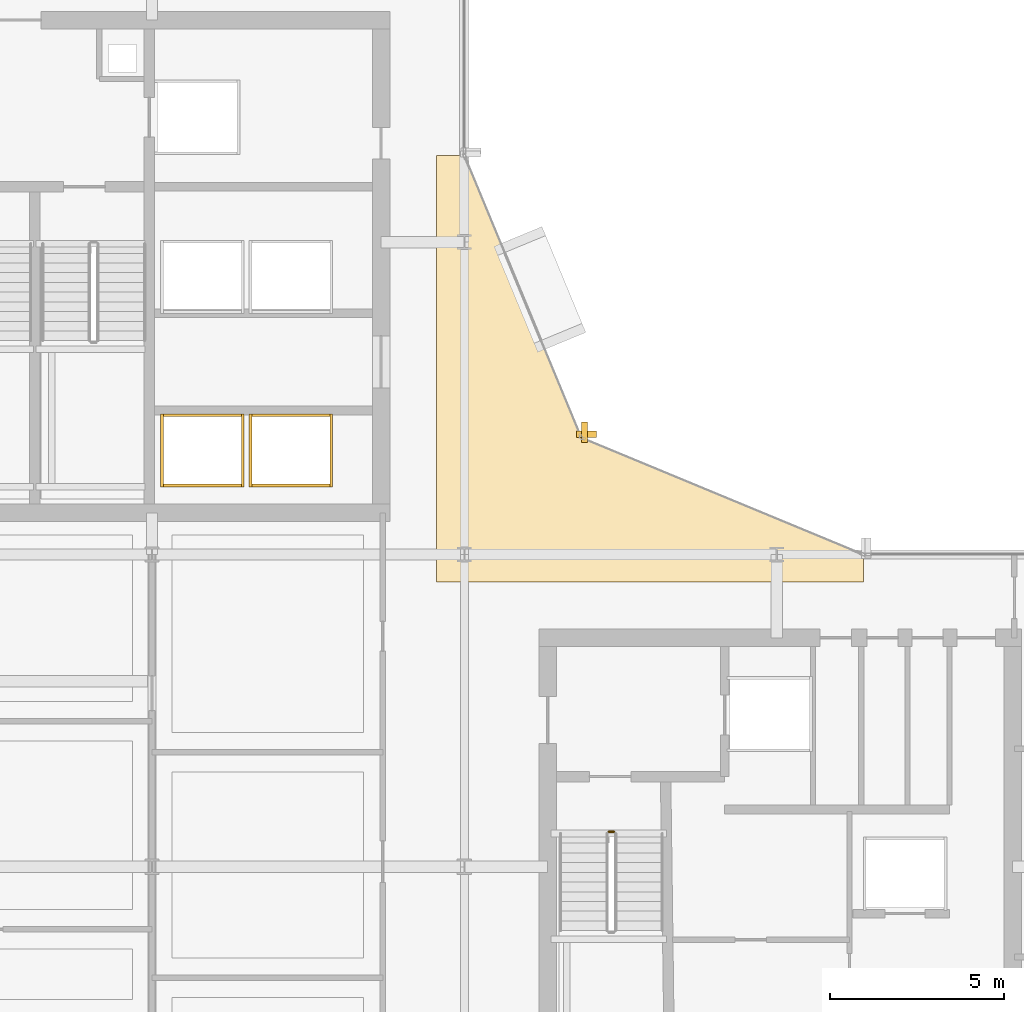
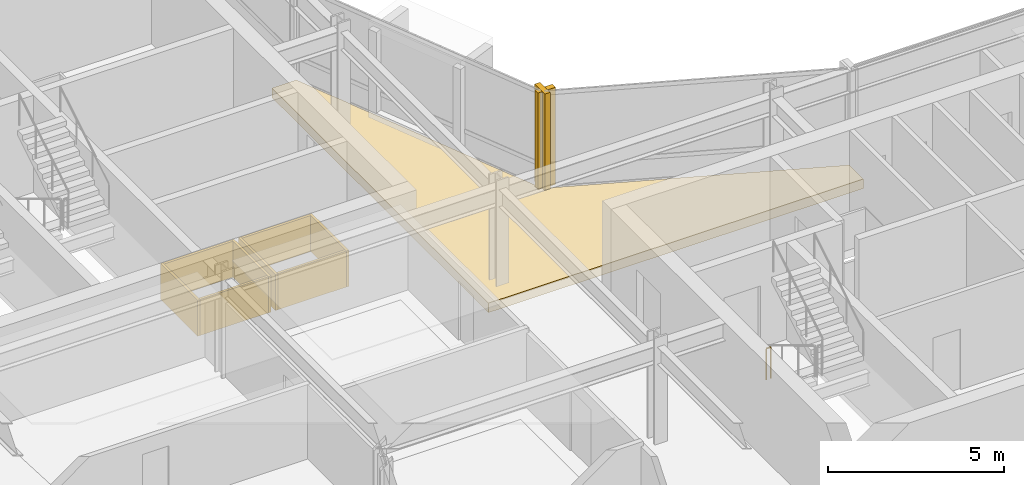
# One storey, part 27 of 29: 11 coverings, 1 railing.
"""IFC4 building model written with IfcOpenShell, lengths in metres."""

from ifc_helpers import new_model, si_unit, direction, frame, origin, origin_2d, place, context, subcontext, project, spatial, polyline, rectangle, circle, outline, extrude, material, layer, layer_set, type_object, element, save


model = new_model("IFC4")

# Units and contexts
model_context = context("Model", 3, precision=1e-05, world=origin(), true_north=direction((0.0, 1.0)))
body_context = subcontext(model_context, "Body", "Model", "MODEL_VIEW")
ifc_project = project(units=[si_unit("LENGTHUNIT", "METRE"), si_unit("AREAUNIT", "SQUARE_METRE"), si_unit("VOLUMEUNIT", "CUBIC_METRE"), si_unit("PLANEANGLEUNIT", "RADIAN"), si_unit("MASSUNIT", "GRAM", prefix="KILO")], contexts=[model_context])

# Site, building, storey
site_placement = place(None, origin())
site = spatial("IfcSite", under=ifc_project, at=site_placement, CompositionType="ELEMENT")
building_placement = place(site_placement, origin())
building = spatial("IfcBuilding", under=site, at=building_placement, Name="Solvaryn Broadcast Tower", CompositionType="ELEMENT")
storey_placement = place(building_placement, frame((0.0, 0.0, 165.5)))
storey = spatial("IfcBuildingStorey", under=building, at=storey_placement, Name="L41", CompositionType="ELEMENT", Elevation=165.5)

# Coverings
ifc_material_1 = material(Name="Fire-Rated Gypsum Shaftwall Liner", Category="concrete")
ifc_layer_1 = layer(ifc_material_1, 0.080078125)
ifc_layer_set_1 = layer_set([ifc_layer_1], Name="CV-SHAFT-LINER")
covering_type_1 = type_object("IfcCoveringType", Name="CV-SHAFT-LINER", PredefinedType="CLADDING", material=ifc_layer_set_1)
for number, where, z_axis, x_axis, name in (
    (1, (19.449951171875, 31.014892578125, 0.0), (0.0, 0.0, 1.0), (1.0, 0.0, 0.0), "L41 PH1 Hoistway Shaft Liner North"),
    (2, (19.449951171875, 28.985107421875, 0.0), (0.0, 0.0, 1.0), (1.0, 0.0, 0.0), "L41 PH1 Hoistway Shaft Liner South"),
):
    element("IfcCovering", number, at=place(storey_placement, frame(where, z_axis=z_axis, x_axis=x_axis)), inside=storey, type_object=covering_type_1, Name=name, PredefinedType="CLADDING", context=body_context, shape_type="SweptSolid", body=[
        extrude(rectangle(XDim=2.409912109375, YDim=0.080078125, at=origin_2d()), origin(), (0.0, 0.0, 1.0), 1.25),
    ])
for number, where, z_axis, x_axis, name in (
    (3, (20.614990234375, 30.0, 0.0), (0.0, 0.0, 1.0), (1.0, 0.0, 0.0), "L41 PH1 Hoistway Shaft Liner East"),
    (4, (18.284912109375, 30.0, 0.0), (0.0, 0.0, 1.0), (1.0, 0.0, 0.0), "L41 PH1 Hoistway Shaft Liner West"),
):
    element("IfcCovering", number, at=place(storey_placement, frame(where, z_axis=z_axis, x_axis=x_axis)), inside=storey, type_object=covering_type_1, Name=name, PredefinedType="CLADDING", context=body_context, shape_type="SweptSolid", body=[
        extrude(rectangle(XDim=0.080078125, YDim=2.110107421875, at=origin_2d()), origin(), (0.0, 0.0, 1.0), 1.25),
    ])
for number, where, z_axis, x_axis, name in (
    (5, (22.0, 31.014892578125, 0.0), (0.0, 0.0, 1.0), (1.0, 0.0, 0.0), "L41 PH2 Hoistway Shaft Liner North"),
    (6, (22.0, 28.985107421875, 0.0), (0.0, 0.0, 1.0), (1.0, 0.0, 0.0), "L41 PH2 Hoistway Shaft Liner South"),
):
    element("IfcCovering", number, at=place(storey_placement, frame(where, z_axis=z_axis, x_axis=x_axis)), inside=storey, type_object=covering_type_1, Name=name, PredefinedType="CLADDING", context=body_context, shape_type="SweptSolid", body=[
        extrude(rectangle(XDim=2.409912109375, YDim=0.080078125, at=origin_2d()), origin(), (0.0, 0.0, 1.0), 1.25),
    ])
for number, where, z_axis, x_axis, name in (
    (7, (23.1650390625, 30.0, 0.0), (0.0, 0.0, 1.0), (1.0, 0.0, 0.0), "L41 PH2 Hoistway Shaft Liner East"),
    (8, (20.8349609375, 30.0, 0.0), (0.0, 0.0, 1.0), (1.0, 0.0, 0.0), "L41 PH2 Hoistway Shaft Liner West"),
):
    element("IfcCovering", number, at=place(storey_placement, frame(where, z_axis=z_axis, x_axis=x_axis)), inside=storey, type_object=covering_type_1, Name=name, PredefinedType="CLADDING", context=body_context, shape_type="SweptSolid", body=[
        extrude(rectangle(XDim=0.080078125, YDim=2.110107421875, at=origin_2d()), origin(), (0.0, 0.0, 1.0), 1.25),
    ])
ifc_material_2 = material(Name="Extruded Architectural Terracotta Fin", Category="masonry")
ifc_layer_2 = layer(ifc_material_2, 0.179931640625)
ifc_layer_set_2 = layer_set([ifc_layer_2], Name="CV-TC-FIN")
covering_type_2 = type_object("IfcCoveringType", Name="CV-TC-FIN", PredefinedType="USERDEFINED", material=ifc_layer_set_2)
covering_1_placement = place(storey_placement, frame((30.464599609375, 30.52294921875, 0.0), z_axis=(0.0, 0.0, 1.0), x_axis=(1.0, 0.0, 0.0)))
element("IfcCovering", 9, at=covering_1_placement, inside=storey, type_object=covering_type_2, Name="L41 Terracotta Vertical Fin FIN-L41-CN1-M01", ObjectType="FIN", PredefinedType="USERDEFINED", context=body_context, shape_type="SweptSolid", body=[
    extrude(rectangle(XDim=0.179931640625, YDim=0.580078125, at=origin_2d()), origin(), (0.0, 0.0, 1.0), 3.3701171875),
])
covering_2_placement = place(storey_placement, frame((30.52294921875, 30.464599609375, 0.0), z_axis=(0.0, 0.0, 1.0), x_axis=(1.0, 0.0, 0.0)))
element("IfcCovering", 10, at=covering_2_placement, inside=storey, type_object=covering_type_2, Name="L41 Terracotta Vertical Fin FIN-L41-CN2-M00", ObjectType="FIN", PredefinedType="USERDEFINED", context=body_context, shape_type="SweptSolid", body=[
    extrude(rectangle(XDim=0.580078125, YDim=0.179931640625, at=origin_2d()), origin(), (0.0, 0.0, 1.0), 3.3701171875),
])
ifc_material_3 = material(Name="Sculpted Architectural Terracotta Wave Fascia", Category="masonry")
ifc_layer_3 = layer(ifc_material_3, 0.340087890625)
ifc_layer_set_3 = layer_set([ifc_layer_3], Name="CV-WAVE-TRAY")
covering_type_3 = type_object("IfcCoveringType", Name="CV-WAVE-TRAY", PredefinedType="CLADDING", material=ifc_layer_set_3)
covering_3_placement = place(storey_placement, frame((0.0, 0.0, -0.300048828125)))
element("IfcCovering", 11, at=covering_3_placement, inside=storey, type_object=covering_type_3, Name="L41 Concave Canyon Floor Apron", PredefinedType="CLADDING", context=body_context, shape_type="SweptSolid", body=[
    extrude(outline(polyline([(26.199951171875, 26.199951171875), (38.5, 26.199951171875), (38.5, 27.0), (30.367919921875, 30.367919921875), (27.0, 38.5), (26.199951171875, 38.5), (26.199951171875, 26.199951171875)])), origin(), (0.0, 0.0, 1.0), 0.330078125),
])

# Railing
ifc_material_4 = material(Name="Painted Steel Stair Well Guard", Category="steel")
railing_type = type_object("IfcRailingType", Name="RL-STAIR-GUARD", PredefinedType="BALUSTRADE", material=ifc_material_4)
railing_placement = place(storey_placement, frame((31.159912109375, 19.010009765625, 0.0)))
element("IfcRailing", 12, at=railing_placement, inside=storey, type_object=railing_type, Name="L41 ST3 stair guard 4", PredefinedType="BALUSTRADE", context=body_context, shape_type="SweptSolid", body=[
    extrude(circle(Radius=0.02392578125, at=origin_2d()), frame((0.0, 0.0, 1.076171875), z_axis=(1.0, 0.0, 0.0), x_axis=(0.0, 1.0, 0.0)), (0.0, 0.0, 1.0), 0.150146484375),
    extrude(circle(Radius=0.02099609375, at=origin_2d()), origin(), (0.0, 0.0, 1.0), 1.052001953125),
    extrude(circle(Radius=0.02099609375, at=origin_2d()), frame((0.150146484375, 0.0, 0.0)), (0.0, 0.0, 1.0), 1.052001953125),
])

save(model, "model.ifc")
